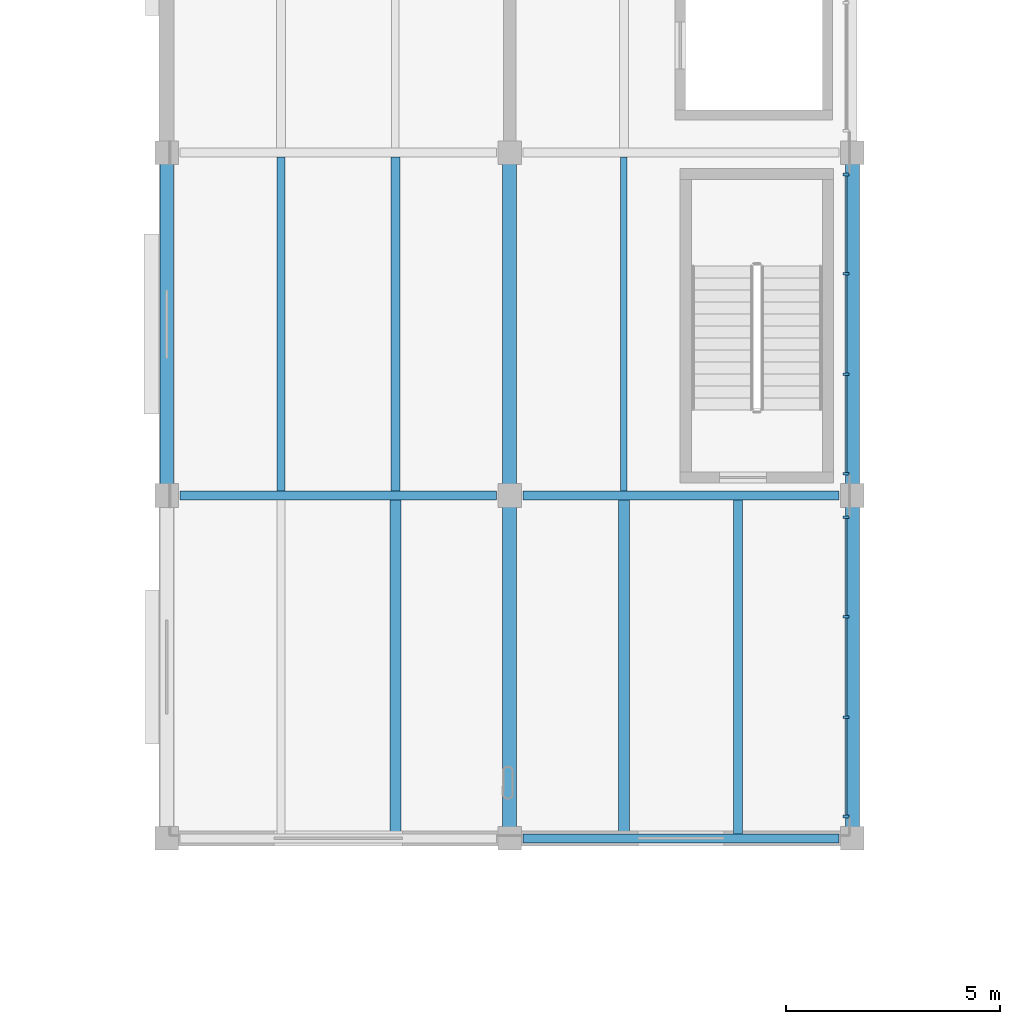
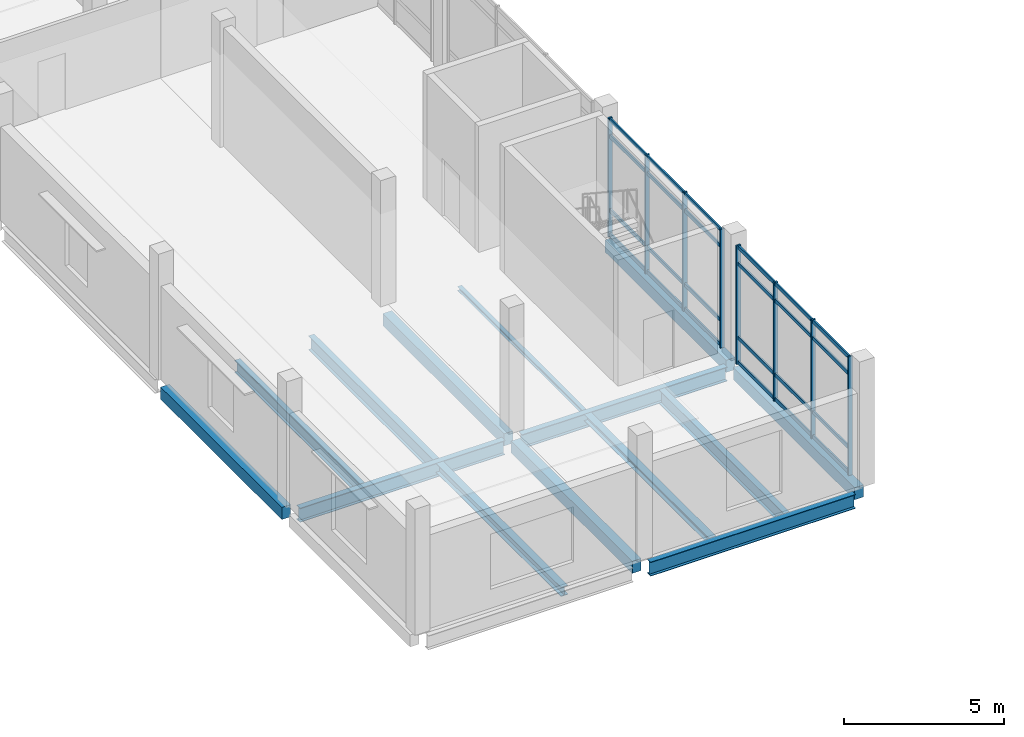
# One storey, part 7 of 47: 32 members, 14 beams, 2 elements without a shape of their own.
"""IFC4 building model written with IfcOpenShell, lengths in metres."""

from ifc_helpers import new_model, si_unit, direction, frame, origin, origin_2d, place, context, subcontext, project, spatial, rectangle, i_section, extrude, material, material_profile, profile_set, type_object, element, aggregate, save


model = new_model("IFC4")

# Units and contexts
model_context = context("Model", 3, precision=1e-05, world=origin(), true_north=direction((0.0, 1.0)))
body_context = subcontext(model_context, "Body", "Model", "MODEL_VIEW")
ifc_project = project(units=[si_unit("LENGTHUNIT", "METRE"), si_unit("AREAUNIT", "SQUARE_METRE"), si_unit("VOLUMEUNIT", "CUBIC_METRE"), si_unit("PLANEANGLEUNIT", "RADIAN"), si_unit("MASSUNIT", "GRAM", prefix="KILO")], contexts=[model_context])

# Site, building, storey
site_placement = place(None, origin())
site = spatial("IfcSite", under=ifc_project, at=site_placement, CompositionType="ELEMENT")
building_placement = place(site_placement, origin())
building = spatial("IfcBuilding", under=site, at=building_placement, Name="Pecanmere Concourse Central Library", CompositionType="ELEMENT")
storey_placement = place(building_placement, frame((0.0, 0.0, 15.300048828125)))
storey = spatial("IfcBuildingStorey", under=building, at=storey_placement, Name="L04", CompositionType="ELEMENT", Elevation=15.300048828125)

# Beams
ifc_material_1 = material(Name="Concrete C40/50", Category="concrete")
ifc_material_profile_1 = material_profile(ifc_material_1, rectangle(XDim=0.320068359375, YDim=0.4599609375, at=origin_2d()), Name="RC 320x460")
ifc_profile_set_1 = profile_set([ifc_material_profile_1], Name="Concrete C40/50")
beam_type_1 = type_object("IfcBeamType", Name="BM_320x460", PredefinedType="BEAM", material=ifc_profile_set_1)
for number, where, z_axis, x_axis, name in (
    (1, (48.0, 56.219970703125, -0.550048828125), (0.0, 1.0, 0.0), (-1.0, 0.0, 0.0), "Primary Girder Y L04-2251"),
    (2, (56.0, 48.219970703125, -0.550048828125), (0.0, 1.0, 0.0), (-1.0, 0.0, 0.0), "Primary Girder Y L04-2257"),
    (3, (56.0, 56.219970703125, -0.550048828125), (0.0, 1.0, 0.0), (-1.0, 0.0, 0.0), "Primary Girder Y L04-2258"),
    (4, (64.0, 48.219970703125, -0.550048828125), (0.0, 1.0, 0.0), (-1.0, 0.0, 0.0), "Primary Girder Y L04-2264"),
    (5, (64.0, 56.219970703125, -0.550048828125), (0.0, 1.0, 0.0), (-1.0, 0.0, 0.0), "Primary Girder Y L04-2265"),
):
    element("IfcBeam", number, at=place(storey_placement, frame(where, z_axis=z_axis, x_axis=x_axis)), inside=storey, type_object=beam_type_1, Name=name, PredefinedType="BEAM", context=body_context, shape_type="SweptSolid", body=[
        extrude(rectangle(XDim=0.320068359375, YDim=0.4599609375, at=origin_2d()), origin(), (0.0, 0.0, 1.0), 7.56005859375),
    ])

# Curtain wall, members
ifc_material_2 = material(Name="Clear anodized aluminium alloy 6063-T6", Category="aluminium")
curtain_wall_type = type_object("IfcCurtainWallType", Name="CW_CLOISTER_GLAZ", PredefinedType="USERDEFINED", material=ifc_material_2)
curtain_wall_1_placement = place(storey_placement, origin())
curtain_wall_1 = element("IfcCurtainWall", 6, at=curtain_wall_1_placement, inside=storey, type_object=curtain_wall_type, Name="Unitised Curtain Wall CW-04 L04-140", ObjectType="UNITISED CURTAIN WALL", PredefinedType="USERDEFINED")
ifc_material_3 = material(Name="Clear anodized aluminium alloy 6063-T6", Category="aluminium")
ifc_material_profile_2 = material_profile(ifc_material_3, rectangle(XDim=0.06005859375, YDim=0.14990234375, at=origin_2d()), Name="AL 60x150")
ifc_profile_set_2 = profile_set([ifc_material_profile_2], Name="Clear anodized aluminium alloy 6063-T6")
member_type_1 = type_object("IfcMemberType", Name="CWM_150x60", PredefinedType="MULLION", material=ifc_profile_set_2)
member_1_placement = place(storey_placement, frame((63.85009765625, 48.510009765625, 0.0), z_axis=(0.0, 0.0, 1.0), x_axis=(0.0, 1.0, 0.0)))
member_1 = element("IfcMember", 7, at=member_1_placement, type_object=member_type_1, Name="CW-04 Mullion 1", PredefinedType="MULLION", context=body_context, shape_type="SweptSolid", body=[
    extrude(rectangle(XDim=0.06005859375, YDim=0.14990234375, at=origin_2d()), origin(), (0.0, 0.0, 1.0), 4.52001953125),
])
member_2_placement = place(storey_placement, frame((63.85009765625, 50.82666015625, 0.0), z_axis=(0.0, 0.0, 1.0), x_axis=(0.0, 1.0, 0.0)))
member_2 = element("IfcMember", 8, at=member_2_placement, type_object=member_type_1, Name="CW-04 Mullion 2", PredefinedType="MULLION", context=body_context, shape_type="SweptSolid", body=[
    extrude(rectangle(XDim=0.06005859375, YDim=0.14990234375, at=origin_2d()), origin(), (0.0, 0.0, 1.0), 4.52001953125),
])
member_3_placement = place(storey_placement, frame((63.85009765625, 53.17333984375, 0.0), z_axis=(0.0, 0.0, 1.0), x_axis=(0.0, 1.0, 0.0)))
member_3 = element("IfcMember", 9, at=member_3_placement, type_object=member_type_1, Name="CW-04 Mullion 3", PredefinedType="MULLION", context=body_context, shape_type="SweptSolid", body=[
    extrude(rectangle(XDim=0.06005859375, YDim=0.14990234375, at=origin_2d()), origin(), (0.0, 0.0, 1.0), 4.52001953125),
])
member_4_placement = place(storey_placement, frame((63.85009765625, 55.489990234375, 0.0), z_axis=(0.0, 0.0, 1.0), x_axis=(0.0, 1.0, 0.0)))
member_4 = element("IfcMember", 10, at=member_4_placement, type_object=member_type_1, Name="CW-04 Mullion 4", PredefinedType="MULLION", context=body_context, shape_type="SweptSolid", body=[
    extrude(rectangle(XDim=0.06005859375, YDim=0.14990234375, at=origin_2d()), origin(), (0.0, 0.0, 1.0), 4.52001953125),
])

curtain_wall_2_placement = place(storey_placement, origin())
curtain_wall_2 = element("IfcCurtainWall", 11, at=curtain_wall_2_placement, inside=storey, type_object=curtain_wall_type, Name="Unitised Curtain Wall CW-04 L04-142", ObjectType="UNITISED CURTAIN WALL", PredefinedType="USERDEFINED")
member_5_placement = place(storey_placement, frame((63.85009765625, 56.510009765625, 0.0), z_axis=(0.0, 0.0, 1.0), x_axis=(0.0, 1.0, 0.0)))
member_5 = element("IfcMember", 12, at=member_5_placement, type_object=member_type_1, Name="CW-04 Mullion 1", PredefinedType="MULLION", context=body_context, shape_type="SweptSolid", body=[
    extrude(rectangle(XDim=0.06005859375, YDim=0.14990234375, at=origin_2d()), origin(), (0.0, 0.0, 1.0), 4.52001953125),
])
member_6_placement = place(storey_placement, frame((63.85009765625, 58.82666015625, 0.0), z_axis=(0.0, 0.0, 1.0), x_axis=(0.0, 1.0, 0.0)))
member_6 = element("IfcMember", 13, at=member_6_placement, type_object=member_type_1, Name="CW-04 Mullion 2", PredefinedType="MULLION", context=body_context, shape_type="SweptSolid", body=[
    extrude(rectangle(XDim=0.06005859375, YDim=0.14990234375, at=origin_2d()), origin(), (0.0, 0.0, 1.0), 4.52001953125),
])
member_7_placement = place(storey_placement, frame((63.85009765625, 61.17333984375, 0.0), z_axis=(0.0, 0.0, 1.0), x_axis=(0.0, 1.0, 0.0)))
member_7 = element("IfcMember", 14, at=member_7_placement, type_object=member_type_1, Name="CW-04 Mullion 3", PredefinedType="MULLION", context=body_context, shape_type="SweptSolid", body=[
    extrude(rectangle(XDim=0.06005859375, YDim=0.14990234375, at=origin_2d()), origin(), (0.0, 0.0, 1.0), 4.52001953125),
])
member_8_placement = place(storey_placement, frame((63.85009765625, 63.489990234375, 0.0), z_axis=(0.0, 0.0, 1.0), x_axis=(0.0, 1.0, 0.0)))
member_8 = element("IfcMember", 15, at=member_8_placement, type_object=member_type_1, Name="CW-04 Mullion 4", PredefinedType="MULLION", context=body_context, shape_type="SweptSolid", body=[
    extrude(rectangle(XDim=0.06005859375, YDim=0.14990234375, at=origin_2d()), origin(), (0.0, 0.0, 1.0), 4.52001953125),
])

# Member
ifc_material_4 = material(Name="Clear anodized aluminium alloy 6063-T6", Category="aluminium")
ifc_material_profile_3 = material_profile(ifc_material_4, rectangle(XDim=0.054931640625, YDim=0.139892578125, at=origin_2d()), Name="AL 55x140")
ifc_profile_set_3 = profile_set([ifc_material_profile_3], Name="Clear anodized aluminium alloy 6063-T6")
member_type_2 = type_object("IfcMemberType", Name="CWT_140x55", PredefinedType="USERDEFINED", material=ifc_profile_set_3)
member_9_placement = place(storey_placement, frame((63.85009765625, 48.5400390625, 0.070068359375), z_axis=(0.0, 1.0, 0.0), x_axis=(-1.0, 0.0, 0.0)))
member_9 = element("IfcMember", 16, at=member_9_placement, type_object=member_type_2, Name="CW-04 Transom 1.1", ObjectType="TRANSOM", PredefinedType="USERDEFINED", context=body_context, shape_type="SweptSolid", body=[
    extrude(rectangle(XDim=0.054931640625, YDim=0.139892578125, at=origin_2d()), origin(), (0.0, 0.0, 1.0), 2.256591796875),
])

member_10_placement = place(storey_placement, frame((63.85009765625, 48.5400390625, 1.0), z_axis=(0.0, 1.0, 0.0), x_axis=(-1.0, 0.0, 0.0)))
member_10 = element("IfcMember", 17, at=member_10_placement, type_object=member_type_2, Name="CW-04 Transom 1.2", ObjectType="TRANSOM", PredefinedType="USERDEFINED", context=body_context, shape_type="SweptSolid", body=[
    extrude(rectangle(XDim=0.054931640625, YDim=0.139892578125, at=origin_2d()), origin(), (0.0, 0.0, 1.0), 2.256591796875),
])

member_11_placement = place(storey_placement, frame((63.85009765625, 48.5400390625, 3.820068359375), z_axis=(0.0, 1.0, 0.0), x_axis=(-1.0, 0.0, 0.0)))
member_11 = element("IfcMember", 18, at=member_11_placement, type_object=member_type_2, Name="CW-04 Transom 1.3", ObjectType="TRANSOM", PredefinedType="USERDEFINED", context=body_context, shape_type="SweptSolid", body=[
    extrude(rectangle(XDim=0.054931640625, YDim=0.139892578125, at=origin_2d()), origin(), (0.0, 0.0, 1.0), 2.256591796875),
])

member_12_placement = place(storey_placement, frame((63.85009765625, 48.5400390625, 4.449951171875), z_axis=(0.0, 1.0, 0.0), x_axis=(-1.0, 0.0, 0.0)))
member_12 = element("IfcMember", 19, at=member_12_placement, type_object=member_type_2, Name="CW-04 Transom 1.4", ObjectType="TRANSOM", PredefinedType="USERDEFINED", context=body_context, shape_type="SweptSolid", body=[
    extrude(rectangle(XDim=0.054931640625, YDim=0.139892578125, at=origin_2d()), origin(), (0.0, 0.0, 1.0), 2.256591796875),
])

member_13_placement = place(storey_placement, frame((63.85009765625, 50.856689453125, 0.070068359375), z_axis=(0.0, 1.0, 0.0), x_axis=(-1.0, 0.0, 0.0)))
member_13 = element("IfcMember", 20, at=member_13_placement, type_object=member_type_2, Name="CW-04 Transom 2.1", ObjectType="TRANSOM", PredefinedType="USERDEFINED", context=body_context, shape_type="SweptSolid", body=[
    extrude(rectangle(XDim=0.054931640625, YDim=0.139892578125, at=origin_2d()), origin(), (0.0, 0.0, 1.0), 2.28662109375),
])

member_14_placement = place(storey_placement, frame((63.85009765625, 50.856689453125, 1.0), z_axis=(0.0, 1.0, 0.0), x_axis=(-1.0, 0.0, 0.0)))
member_14 = element("IfcMember", 21, at=member_14_placement, type_object=member_type_2, Name="CW-04 Transom 2.2", ObjectType="TRANSOM", PredefinedType="USERDEFINED", context=body_context, shape_type="SweptSolid", body=[
    extrude(rectangle(XDim=0.054931640625, YDim=0.139892578125, at=origin_2d()), origin(), (0.0, 0.0, 1.0), 2.28662109375),
])

member_15_placement = place(storey_placement, frame((63.85009765625, 50.856689453125, 3.820068359375), z_axis=(0.0, 1.0, 0.0), x_axis=(-1.0, 0.0, 0.0)))
member_15 = element("IfcMember", 22, at=member_15_placement, type_object=member_type_2, Name="CW-04 Transom 2.3", ObjectType="TRANSOM", PredefinedType="USERDEFINED", context=body_context, shape_type="SweptSolid", body=[
    extrude(rectangle(XDim=0.054931640625, YDim=0.139892578125, at=origin_2d()), origin(), (0.0, 0.0, 1.0), 2.28662109375),
])

member_16_placement = place(storey_placement, frame((63.85009765625, 50.856689453125, 4.449951171875), z_axis=(0.0, 1.0, 0.0), x_axis=(-1.0, 0.0, 0.0)))
member_16 = element("IfcMember", 23, at=member_16_placement, type_object=member_type_2, Name="CW-04 Transom 2.4", ObjectType="TRANSOM", PredefinedType="USERDEFINED", context=body_context, shape_type="SweptSolid", body=[
    extrude(rectangle(XDim=0.054931640625, YDim=0.139892578125, at=origin_2d()), origin(), (0.0, 0.0, 1.0), 2.28662109375),
])

member_17_placement = place(storey_placement, frame((63.85009765625, 53.203369140625, 0.070068359375), z_axis=(0.0, 1.0, 0.0), x_axis=(-1.0, 0.0, 0.0)))
member_17 = element("IfcMember", 24, at=member_17_placement, type_object=member_type_2, Name="CW-04 Transom 3.1", ObjectType="TRANSOM", PredefinedType="USERDEFINED", context=body_context, shape_type="SweptSolid", body=[
    extrude(rectangle(XDim=0.054931640625, YDim=0.139892578125, at=origin_2d()), origin(), (0.0, 0.0, 1.0), 2.256591796875),
])

member_18_placement = place(storey_placement, frame((63.85009765625, 53.203369140625, 1.0), z_axis=(0.0, 1.0, 0.0), x_axis=(-1.0, 0.0, 0.0)))
member_18 = element("IfcMember", 25, at=member_18_placement, type_object=member_type_2, Name="CW-04 Transom 3.2", ObjectType="TRANSOM", PredefinedType="USERDEFINED", context=body_context, shape_type="SweptSolid", body=[
    extrude(rectangle(XDim=0.054931640625, YDim=0.139892578125, at=origin_2d()), origin(), (0.0, 0.0, 1.0), 2.256591796875),
])

member_19_placement = place(storey_placement, frame((63.85009765625, 53.203369140625, 3.820068359375), z_axis=(0.0, 1.0, 0.0), x_axis=(-1.0, 0.0, 0.0)))
member_19 = element("IfcMember", 26, at=member_19_placement, type_object=member_type_2, Name="CW-04 Transom 3.3", ObjectType="TRANSOM", PredefinedType="USERDEFINED", context=body_context, shape_type="SweptSolid", body=[
    extrude(rectangle(XDim=0.054931640625, YDim=0.139892578125, at=origin_2d()), origin(), (0.0, 0.0, 1.0), 2.256591796875),
])

member_20_placement = place(storey_placement, frame((63.85009765625, 53.203369140625, 4.449951171875), z_axis=(0.0, 1.0, 0.0), x_axis=(-1.0, 0.0, 0.0)))
member_20 = element("IfcMember", 27, at=member_20_placement, type_object=member_type_2, Name="CW-04 Transom 3.4", ObjectType="TRANSOM", PredefinedType="USERDEFINED", context=body_context, shape_type="SweptSolid", body=[
    extrude(rectangle(XDim=0.054931640625, YDim=0.139892578125, at=origin_2d()), origin(), (0.0, 0.0, 1.0), 2.256591796875),
])

aggregate(curtain_wall_1, [member_1, member_2, member_3, member_4, member_9, member_10, member_11, member_12, member_13, member_14, member_15, member_16, member_17, member_18, member_19, member_20])

member_21_placement = place(storey_placement, frame((63.85009765625, 56.5400390625, 0.070068359375), z_axis=(0.0, 1.0, 0.0), x_axis=(-1.0, 0.0, 0.0)))
member_21 = element("IfcMember", 28, at=member_21_placement, type_object=member_type_2, Name="CW-04 Transom 1.1", ObjectType="TRANSOM", PredefinedType="USERDEFINED", context=body_context, shape_type="SweptSolid", body=[
    extrude(rectangle(XDim=0.054931640625, YDim=0.139892578125, at=origin_2d()), origin(), (0.0, 0.0, 1.0), 2.256591796875),
])

member_22_placement = place(storey_placement, frame((63.85009765625, 56.5400390625, 1.0), z_axis=(0.0, 1.0, 0.0), x_axis=(-1.0, 0.0, 0.0)))
member_22 = element("IfcMember", 29, at=member_22_placement, type_object=member_type_2, Name="CW-04 Transom 1.2", ObjectType="TRANSOM", PredefinedType="USERDEFINED", context=body_context, shape_type="SweptSolid", body=[
    extrude(rectangle(XDim=0.054931640625, YDim=0.139892578125, at=origin_2d()), origin(), (0.0, 0.0, 1.0), 2.256591796875),
])

member_23_placement = place(storey_placement, frame((63.85009765625, 56.5400390625, 3.820068359375), z_axis=(0.0, 1.0, 0.0), x_axis=(-1.0, 0.0, 0.0)))
member_23 = element("IfcMember", 30, at=member_23_placement, type_object=member_type_2, Name="CW-04 Transom 1.3", ObjectType="TRANSOM", PredefinedType="USERDEFINED", context=body_context, shape_type="SweptSolid", body=[
    extrude(rectangle(XDim=0.054931640625, YDim=0.139892578125, at=origin_2d()), origin(), (0.0, 0.0, 1.0), 2.256591796875),
])

member_24_placement = place(storey_placement, frame((63.85009765625, 56.5400390625, 4.449951171875), z_axis=(0.0, 1.0, 0.0), x_axis=(-1.0, 0.0, 0.0)))
member_24 = element("IfcMember", 31, at=member_24_placement, type_object=member_type_2, Name="CW-04 Transom 1.4", ObjectType="TRANSOM", PredefinedType="USERDEFINED", context=body_context, shape_type="SweptSolid", body=[
    extrude(rectangle(XDim=0.054931640625, YDim=0.139892578125, at=origin_2d()), origin(), (0.0, 0.0, 1.0), 2.256591796875),
])

member_25_placement = place(storey_placement, frame((63.85009765625, 58.856689453125, 0.070068359375), z_axis=(0.0, 1.0, 0.0), x_axis=(-1.0, 0.0, 0.0)))
member_25 = element("IfcMember", 32, at=member_25_placement, type_object=member_type_2, Name="CW-04 Transom 2.1", ObjectType="TRANSOM", PredefinedType="USERDEFINED", context=body_context, shape_type="SweptSolid", body=[
    extrude(rectangle(XDim=0.054931640625, YDim=0.139892578125, at=origin_2d()), origin(), (0.0, 0.0, 1.0), 2.28662109375),
])

member_26_placement = place(storey_placement, frame((63.85009765625, 58.856689453125, 1.0), z_axis=(0.0, 1.0, 0.0), x_axis=(-1.0, 0.0, 0.0)))
member_26 = element("IfcMember", 33, at=member_26_placement, type_object=member_type_2, Name="CW-04 Transom 2.2", ObjectType="TRANSOM", PredefinedType="USERDEFINED", context=body_context, shape_type="SweptSolid", body=[
    extrude(rectangle(XDim=0.054931640625, YDim=0.139892578125, at=origin_2d()), origin(), (0.0, 0.0, 1.0), 2.28662109375),
])

member_27_placement = place(storey_placement, frame((63.85009765625, 58.856689453125, 3.820068359375), z_axis=(0.0, 1.0, 0.0), x_axis=(-1.0, 0.0, 0.0)))
member_27 = element("IfcMember", 34, at=member_27_placement, type_object=member_type_2, Name="CW-04 Transom 2.3", ObjectType="TRANSOM", PredefinedType="USERDEFINED", context=body_context, shape_type="SweptSolid", body=[
    extrude(rectangle(XDim=0.054931640625, YDim=0.139892578125, at=origin_2d()), origin(), (0.0, 0.0, 1.0), 2.28662109375),
])

member_28_placement = place(storey_placement, frame((63.85009765625, 58.856689453125, 4.449951171875), z_axis=(0.0, 1.0, 0.0), x_axis=(-1.0, 0.0, 0.0)))
member_28 = element("IfcMember", 35, at=member_28_placement, type_object=member_type_2, Name="CW-04 Transom 2.4", ObjectType="TRANSOM", PredefinedType="USERDEFINED", context=body_context, shape_type="SweptSolid", body=[
    extrude(rectangle(XDim=0.054931640625, YDim=0.139892578125, at=origin_2d()), origin(), (0.0, 0.0, 1.0), 2.28662109375),
])

member_29_placement = place(storey_placement, frame((63.85009765625, 61.203369140625, 0.070068359375), z_axis=(0.0, 1.0, 0.0), x_axis=(-1.0, 0.0, 0.0)))
member_29 = element("IfcMember", 36, at=member_29_placement, type_object=member_type_2, Name="CW-04 Transom 3.1", ObjectType="TRANSOM", PredefinedType="USERDEFINED", context=body_context, shape_type="SweptSolid", body=[
    extrude(rectangle(XDim=0.054931640625, YDim=0.139892578125, at=origin_2d()), origin(), (0.0, 0.0, 1.0), 2.256591796875),
])

member_30_placement = place(storey_placement, frame((63.85009765625, 61.203369140625, 1.0), z_axis=(0.0, 1.0, 0.0), x_axis=(-1.0, 0.0, 0.0)))
member_30 = element("IfcMember", 37, at=member_30_placement, type_object=member_type_2, Name="CW-04 Transom 3.2", ObjectType="TRANSOM", PredefinedType="USERDEFINED", context=body_context, shape_type="SweptSolid", body=[
    extrude(rectangle(XDim=0.054931640625, YDim=0.139892578125, at=origin_2d()), origin(), (0.0, 0.0, 1.0), 2.256591796875),
])

member_31_placement = place(storey_placement, frame((63.85009765625, 61.203369140625, 3.820068359375), z_axis=(0.0, 1.0, 0.0), x_axis=(-1.0, 0.0, 0.0)))
member_31 = element("IfcMember", 38, at=member_31_placement, type_object=member_type_2, Name="CW-04 Transom 3.3", ObjectType="TRANSOM", PredefinedType="USERDEFINED", context=body_context, shape_type="SweptSolid", body=[
    extrude(rectangle(XDim=0.054931640625, YDim=0.139892578125, at=origin_2d()), origin(), (0.0, 0.0, 1.0), 2.256591796875),
])

member_32_placement = place(storey_placement, frame((63.85009765625, 61.203369140625, 4.449951171875), z_axis=(0.0, 1.0, 0.0), x_axis=(-1.0, 0.0, 0.0)))
member_32 = element("IfcMember", 39, at=member_32_placement, type_object=member_type_2, Name="CW-04 Transom 3.4", ObjectType="TRANSOM", PredefinedType="USERDEFINED", context=body_context, shape_type="SweptSolid", body=[
    extrude(rectangle(XDim=0.054931640625, YDim=0.139892578125, at=origin_2d()), origin(), (0.0, 0.0, 1.0), 2.256591796875),
])

aggregate(curtain_wall_2, [member_5, member_6, member_7, member_8, member_21, member_22, member_23, member_24, member_25, member_26, member_27, member_28, member_29, member_30, member_31, member_32])

# Beams
ifc_material_5 = material(Name="Structural steel ASTM A992 Grade 50", Category="steel")
ifc_material_profile_4 = material_profile(ifc_material_5, i_section(OverallWidth=0.152099609375, OverallDepth=0.152099609375, WebThickness=0.005859375, FlangeThickness=0.006591796875, at=origin_2d()), Name="W150x22.5")
ifc_profile_set_4 = profile_set([ifc_material_profile_4], Name="Structural steel ASTM A992 Grade 50")
beam_type_2 = type_object("IfcBeamType", Name="SBM_W150x22", PredefinedType="LINTEL", material=ifc_profile_set_4)
beam_1_placement = place(storey_placement, frame((58.666748046875, 56.10546875, -0.39599609375), z_axis=(0.0, 1.0, 0.0), x_axis=(-1.0, 0.0, 0.0)))
element("IfcBeam", 40, at=beam_1_placement, inside=storey, type_object=beam_type_2, Name="Secondary Floor Joist L04-2372", PredefinedType="LINTEL", context=body_context, shape_type="SweptSolid", body=[
    extrude(i_section(OverallWidth=0.152099609375, OverallDepth=0.152099609375, WebThickness=0.005859375, FlangeThickness=0.006591796875, at=origin_2d()), origin(), (0.0, 0.0, 1.0), 7.7890625),
])
ifc_material_6 = material(Name="Structural steel ASTM A992 Grade 50", Category="steel")
ifc_material_profile_5 = material_profile(ifc_material_6, i_section(OverallWidth=0.25390625, OverallDepth=0.2529296875, WebThickness=0.008544921875, FlangeThickness=0.01416015625, at=origin_2d()), Name="W250x73")
ifc_profile_set_5 = profile_set([ifc_material_profile_5], Name="Structural steel ASTM A992 Grade 50")
beam_type_3 = type_object("IfcBeamType", Name="SBM_W250x73", PredefinedType="BEAM", material=ifc_profile_set_5)
beam_2_placement = place(storey_placement, frame((58.666748046875, 48.10546875, -0.446533203125), z_axis=(0.0, 1.0, 0.0), x_axis=(-1.0, 0.0, 0.0)))
element("IfcBeam", 41, at=beam_2_placement, inside=storey, type_object=beam_type_3, Name="Secondary Floor Joist L04-2370", PredefinedType="BEAM", context=body_context, shape_type="SweptSolid", body=[
    extrude(i_section(OverallWidth=0.25390625, OverallDepth=0.2529296875, WebThickness=0.008544921875, FlangeThickness=0.01416015625, at=origin_2d()), origin(), (0.0, 0.0, 1.0), 7.7890625),
])
ifc_material_7 = material(Name="Structural steel ASTM A992 Grade 50", Category="steel")
ifc_material_profile_6 = material_profile(ifc_material_7, i_section(OverallWidth=0.25390625, OverallDepth=0.35302734375, WebThickness=0.009521484375, FlangeThickness=0.016357421875, at=origin_2d()), Name="W360x91")
ifc_profile_set_6 = profile_set([ifc_material_profile_6], Name="Structural steel ASTM A992 Grade 50")
beam_type_4 = type_object("IfcBeamType", Name="SBM_W360x91", PredefinedType="BEAM", material=ifc_profile_set_6)
beam_3_placement = place(storey_placement, frame((53.333251953125, 48.10546875, -0.49658203125), z_axis=(0.0, 1.0, 0.0), x_axis=(-1.0, 0.0, 0.0)))
element("IfcBeam", 42, at=beam_3_placement, inside=storey, type_object=beam_type_4, Name="Secondary Floor Joist L04-2357", PredefinedType="BEAM", context=body_context, shape_type="SweptSolid", body=[
    extrude(i_section(OverallWidth=0.25390625, OverallDepth=0.35302734375, WebThickness=0.009521484375, FlangeThickness=0.016357421875, at=origin_2d()), origin(), (0.0, 0.0, 1.0), 7.7890625),
])
ifc_material_8 = material(Name="Structural steel ASTM A992 Grade 50", Category="steel")
ifc_material_profile_7 = material_profile(ifc_material_8, i_section(OverallWidth=0.194091796875, OverallDepth=0.468994140625, WebThickness=0.0126953125, FlangeThickness=0.0205078125, at=origin_2d()), Name="W460x106")
ifc_profile_set_7 = profile_set([ifc_material_profile_7], Name="Structural steel ASTM A992 Grade 50")
beam_type_5 = type_object("IfcBeamType", Name="SBM_W460x106", PredefinedType="USERDEFINED", material=ifc_profile_set_7)
beam_4_placement = place(storey_placement, frame((50.666748046875, 56.10546875, -0.554443359375), z_axis=(0.0, 1.0, 0.0), x_axis=(-1.0, 0.0, 0.0)))
element("IfcBeam", 43, at=beam_4_placement, inside=storey, type_object=beam_type_5, Name="Secondary Floor Joist L04-2358", ObjectType="GIRDER", PredefinedType="USERDEFINED", context=body_context, shape_type="SweptSolid", body=[
    extrude(i_section(OverallWidth=0.194091796875, OverallDepth=0.468994140625, WebThickness=0.0126953125, FlangeThickness=0.0205078125, at=origin_2d()), origin(), (0.0, 0.0, 1.0), 7.7890625),
])
ifc_material_9 = material(Name="Structural steel ASTM A992 Grade 50", Category="steel")
ifc_material_profile_8 = material_profile(ifc_material_9, i_section(OverallWidth=0.2109375, OverallDepth=0.5390625, WebThickness=0.01171875, FlangeThickness=0.018798828125, at=origin_2d()), Name="W530x109")
ifc_profile_set_8 = profile_set([ifc_material_profile_8], Name="Structural steel ASTM A992 Grade 50")
beam_type_6 = type_object("IfcBeamType", Name="SBM_W530x109", PredefinedType="USERDEFINED", material=ifc_profile_set_8)
for number, where, z_axis, x_axis, name in (
    (44, (56.31005859375, 48.0, -0.589599609375), (1.0, 0.0, 0.0), (0.0, 1.0, 0.0), "Primary Girder X L04-2160"),
    (45, (48.31005859375, 56.0, -0.589599609375), (1.0, 0.0, 0.0), (0.0, 1.0, 0.0), "Primary Girder X L04-2163"),
    (46, (56.31005859375, 56.0, -0.589599609375), (1.0, 0.0, 0.0), (0.0, 1.0, 0.0), "Primary Girder X L04-2164"),
):
    element("IfcBeam", number, at=place(storey_placement, frame(where, z_axis=z_axis, x_axis=x_axis)), inside=storey, type_object=beam_type_6, Name=name, ObjectType="GIRDER", PredefinedType="USERDEFINED", context=body_context, shape_type="SweptSolid", body=[
        extrude(i_section(OverallWidth=0.2109375, OverallDepth=0.5390625, WebThickness=0.01171875, FlangeThickness=0.018798828125, at=origin_2d()), origin(), (0.0, 0.0, 1.0), 7.3798828125),
    ])
beam_5_placement = place(storey_placement, frame((53.333251953125, 56.10546875, -0.589599609375), z_axis=(0.0, 1.0, 0.0), x_axis=(-1.0, 0.0, 0.0)))
element("IfcBeam", 47, at=beam_5_placement, inside=storey, type_object=beam_type_6, Name="Secondary Floor Joist L04-2359", ObjectType="GIRDER", PredefinedType="USERDEFINED", context=body_context, shape_type="SweptSolid", body=[
    extrude(i_section(OverallWidth=0.2109375, OverallDepth=0.5390625, WebThickness=0.01171875, FlangeThickness=0.018798828125, at=origin_2d()), origin(), (0.0, 0.0, 1.0), 7.7890625),
])
ifc_material_10 = material(Name="Structural steel ASTM A992 Grade 50", Category="steel")
ifc_material_profile_9 = material_profile(ifc_material_10, i_section(OverallWidth=0.208984375, OverallDepth=0.532958984375, WebThickness=0.01025390625, FlangeThickness=0.015625, at=origin_2d()), Name="W530x92")
ifc_profile_set_9 = profile_set([ifc_material_profile_9], Name="Structural steel ASTM A992 Grade 50")
beam_type_7 = type_object("IfcBeamType", Name="SBM_W530x92", PredefinedType="BEAM", material=ifc_profile_set_9)
beam_6_placement = place(storey_placement, frame((61.333251953125, 48.10546875, -0.586669921875), z_axis=(0.0, 1.0, 0.0), x_axis=(-1.0, 0.0, 0.0)))
element("IfcBeam", 48, at=beam_6_placement, inside=storey, type_object=beam_type_7, Name="Secondary Floor Joist L04-2371", PredefinedType="BEAM", context=body_context, shape_type="SweptSolid", body=[
    extrude(i_section(OverallWidth=0.208984375, OverallDepth=0.532958984375, WebThickness=0.01025390625, FlangeThickness=0.015625, at=origin_2d()), origin(), (0.0, 0.0, 1.0), 7.7890625),
])

save(model, "model.ifc")
